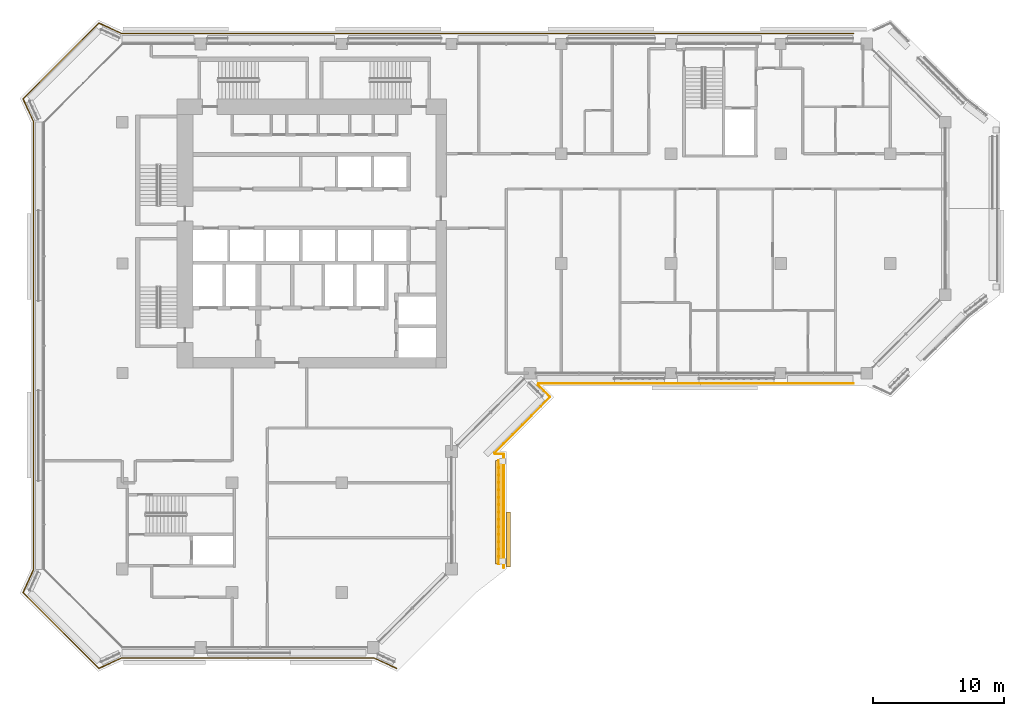
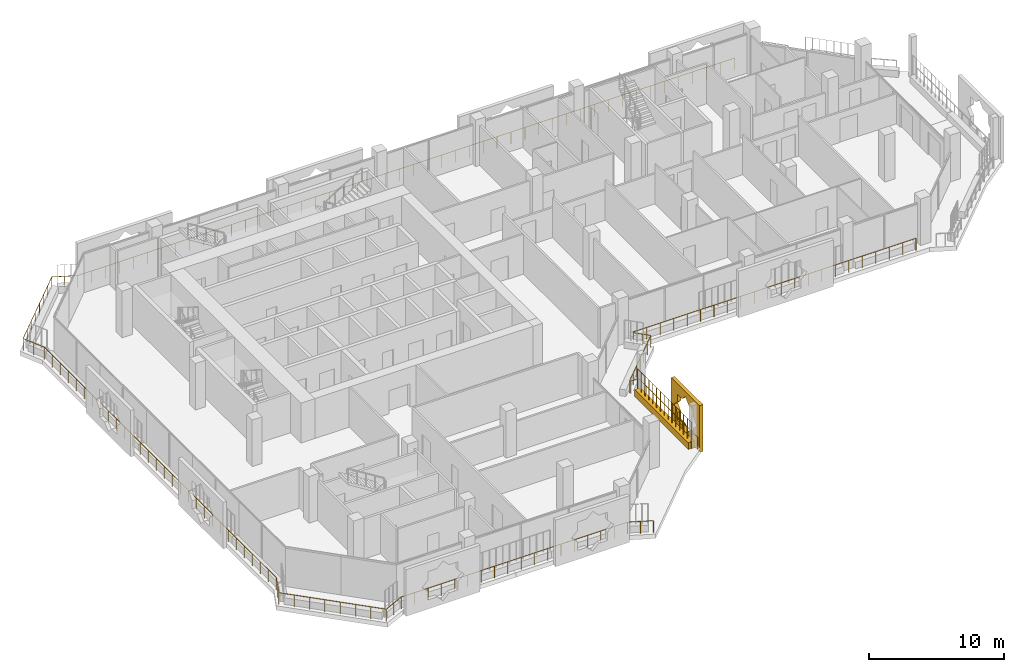
# One storey, part 16 of 20: 3 railings, 2 coverings.
"""IFC4 building model written with IfcOpenShell, lengths in metres."""

from ifc_helpers import new_model, si_unit, direction, frame, origin, origin_2d, place, context, subcontext, project, spatial, polyline, rectangle, circle, outline, extrude, material, material_profile, profile_set, type_object, element, save


model = new_model("IFC4")

# Units and contexts
model_context = context("Model", 3, precision=1e-05, world=origin(), true_north=direction((0.0, 1.0)))
body_context = subcontext(model_context, "Body", "Model", "MODEL_VIEW")
ifc_project = project(units=[si_unit("LENGTHUNIT", "METRE"), si_unit("AREAUNIT", "SQUARE_METRE"), si_unit("VOLUMEUNIT", "CUBIC_METRE"), si_unit("PLANEANGLEUNIT", "RADIAN"), si_unit("MASSUNIT", "GRAM", prefix="KILO")], contexts=[model_context])

# Site, building, storey
site_placement = place(None, origin())
site = spatial("IfcSite", under=ifc_project, at=site_placement, CompositionType="ELEMENT")
building_placement = place(site_placement, origin())
building = spatial("IfcBuilding", under=site, at=building_placement, Name="Kawkab Arch Medical Tower", CompositionType="ELEMENT")
storey_placement = place(building_placement, frame((0.0, 0.0, 239.0)))
storey = spatial("IfcBuildingStorey", under=building, at=storey_placement, Name="L55", CompositionType="ELEMENT", Elevation=239.0)

# Railings
ifc_material_1 = material(Name="Bronze anodised aluminium guard", Category="aluminium")
railing_type_1 = type_object("IfcRailingType", Name="Loggia and terrace guard 1100", PredefinedType="GUARDRAIL", material=ifc_material_1)
railing_1_placement = place(storey_placement, frame((20.9951171875, -47.798095703125, 0.0)))
element("IfcRailing", 1, at=railing_1_placement, inside=storey, type_object=railing_type_1, Name="Guard L55.LOG-01.1.1", PredefinedType="GUARDRAIL", context=body_context, shape_type="SweptSolid", body=[
    extrude(circle(Radius=0.02392578125, at=origin_2d()), frame((0.0, 0.0, 1.076171875), z_axis=(-0.910044860056, 0.414509773934, 0.0), x_axis=(-0.414509773934, -0.910044860056, 0.0)), (0.0, 0.0, 1.0), 1.92529296875),
    extrude(circle(Radius=0.02392578125, at=origin_2d()), frame((-1.752197265625, 0.798095703125, 1.076171875), z_axis=(-1.0, 0.0, 0.0), x_axis=(0.0, -1.0, 0.0)), (0.0, 0.0, 1.0), 19.285888671875),
    extrude(circle(Radius=0.02392578125, at=origin_2d()), frame((-21.0380859375, 0.798095703125, 1.076171875), z_axis=(-0.910023069687, -0.414557610759, 0.0), x_axis=(0.414557610759, -0.910023069687, 0.0)), (0.0, 0.0, 1.0), 1.92529296875),
    extrude(circle(Radius=0.02392578125, at=origin_2d()), frame((-22.7900390625, 0.0, 1.076171875), z_axis=(-0.707106781187, 0.707106781187, 0.0), x_axis=(-0.707106781187, -0.707106781187, 0.0)), (0.0, 0.0, 1.0), 8.20654296875),
    extrude(circle(Radius=0.02392578125, at=origin_2d()), frame((-28.593017578125, 5.802978515625, 1.076171875), z_axis=(0.414404752076, 0.910092688388, 0.0), x_axis=(-0.910092688388, 0.414404752076, 0.0)), (0.0, 0.0, 1.0), 1.92529296875),
    extrude(circle(Radius=0.02392578125, at=origin_2d()), frame((-27.795166015625, 7.55517578125, 1.076171875), z_axis=(0.0, 1.0, 0.0), x_axis=(-1.0, 0.0, 0.0)), (0.0, 0.0, 1.0), 34.285888671875),
    extrude(circle(Radius=0.02392578125, at=origin_2d()), frame((-27.795166015625, 41.841064453125, 1.076171875), z_axis=(-0.414452581809, 0.910070907914, 0.0), x_axis=(-0.910070907914, -0.414452581809, 0.0)), (0.0, 0.0, 1.0), 1.925048828125),
    extrude(circle(Radius=0.02392578125, at=origin_2d()), frame((-28.593017578125, 43.593017578125, 1.076171875), z_axis=(0.707106781187, 0.707106781187, 0.0), x_axis=(-0.707106781187, 0.707106781187, 0.0)), (0.0, 0.0, 1.0), 8.20654296875),
    extrude(circle(Radius=0.02392578125, at=origin_2d()), frame((-22.7900390625, 49.39599609375, 1.076171875), z_axis=(0.910070907914, -0.414452581809, 0.0), x_axis=(0.414452581809, 0.910070907914, 0.0)), (0.0, 0.0, 1.0), 1.925048828125),
    extrude(circle(Radius=0.02392578125, at=origin_2d()), frame((-21.0380859375, 48.59814453125, 1.076171875), z_axis=(1.0, 0.0, 0.0), x_axis=(0.0, 1.0, 0.0)), (0.0, 0.0, 1.0), 56.012939453125),
    extrude(circle(Radius=0.02099609375, at=origin_2d()), origin(), (0.0, 0.0, 1.0), 1.052001953125),
    extrude(circle(Radius=0.02099609375, at=origin_2d()), frame((-0.8759765625, 0.39892578125, 0.0)), (0.0, 0.0, 1.0), 1.052001953125),
    extrude(circle(Radius=0.02099609375, at=origin_2d()), frame((-1.752197265625, 0.798095703125, 0.0)), (0.0, 0.0, 1.0), 1.052001953125),
    extrude(circle(Radius=0.02099609375, at=origin_2d()), frame((-2.88671875, 0.798095703125, 0.0)), (0.0, 0.0, 1.0), 1.052001953125),
    extrude(circle(Radius=0.02099609375, at=origin_2d()), frame((-4.021240234375, 0.798095703125, 0.0)), (0.0, 0.0, 1.0), 1.052001953125),
    extrude(circle(Radius=0.02099609375, at=origin_2d()), frame((-5.155517578125, 0.798095703125, 0.0)), (0.0, 0.0, 1.0), 1.052001953125),
    extrude(circle(Radius=0.02099609375, at=origin_2d()), frame((-6.2900390625, 0.798095703125, 0.0)), (0.0, 0.0, 1.0), 1.052001953125),
    extrude(circle(Radius=0.02099609375, at=origin_2d()), frame((-7.424560546875, 0.798095703125, 0.0)), (0.0, 0.0, 1.0), 1.052001953125),
    extrude(circle(Radius=0.02099609375, at=origin_2d()), frame((-8.55908203125, 0.798095703125, 0.0)), (0.0, 0.0, 1.0), 1.052001953125),
    extrude(circle(Radius=0.02099609375, at=origin_2d()), frame((-9.693359375, 0.798095703125, 0.0)), (0.0, 0.0, 1.0), 1.052001953125),
    extrude(circle(Radius=0.02099609375, at=origin_2d()), frame((-10.827880859375, 0.798095703125, 0.0)), (0.0, 0.0, 1.0), 1.052001953125),
    extrude(circle(Radius=0.02099609375, at=origin_2d()), frame((-11.96240234375, 0.798095703125, 0.0)), (0.0, 0.0, 1.0), 1.052001953125),
    extrude(circle(Radius=0.02099609375, at=origin_2d()), frame((-13.096923828125, 0.798095703125, 0.0)), (0.0, 0.0, 1.0), 1.052001953125),
    extrude(circle(Radius=0.02099609375, at=origin_2d()), frame((-14.231201171875, 0.798095703125, 0.0)), (0.0, 0.0, 1.0), 1.052001953125),
    extrude(circle(Radius=0.02099609375, at=origin_2d()), frame((-15.36572265625, 0.798095703125, 0.0)), (0.0, 0.0, 1.0), 1.052001953125),
    extrude(circle(Radius=0.02099609375, at=origin_2d()), frame((-16.500244140625, 0.798095703125, 0.0)), (0.0, 0.0, 1.0), 1.052001953125),
    extrude(circle(Radius=0.02099609375, at=origin_2d()), frame((-17.634765625, 0.798095703125, 0.0)), (0.0, 0.0, 1.0), 1.052001953125),
    extrude(circle(Radius=0.02099609375, at=origin_2d()), frame((-18.76904296875, 0.798095703125, 0.0)), (0.0, 0.0, 1.0), 1.052001953125),
    extrude(circle(Radius=0.02099609375, at=origin_2d()), frame((-19.903564453125, 0.798095703125, 0.0)), (0.0, 0.0, 1.0), 1.052001953125),
    extrude(circle(Radius=0.02099609375, at=origin_2d()), frame((-21.0380859375, 0.798095703125, 0.0)), (0.0, 0.0, 1.0), 1.052001953125),
    extrude(circle(Radius=0.02099609375, at=origin_2d()), frame((-21.9140625, 0.39892578125, 0.0)), (0.0, 0.0, 1.0), 1.052001953125),
    extrude(circle(Radius=0.02099609375, at=origin_2d()), frame((-22.7900390625, 0.0, 0.0)), (0.0, 0.0, 1.0), 1.052001953125),
    extrude(circle(Radius=0.02099609375, at=origin_2d()), frame((-23.619140625, 0.8291015625, 0.0)), (0.0, 0.0, 1.0), 1.052001953125),
    extrude(circle(Radius=0.02099609375, at=origin_2d()), frame((-24.447998046875, 1.657958984375, 0.0)), (0.0, 0.0, 1.0), 1.052001953125),
    extrude(circle(Radius=0.02099609375, at=origin_2d()), frame((-25.277099609375, 2.487060546875, 0.0)), (0.0, 0.0, 1.0), 1.052001953125),
    extrude(circle(Radius=0.02099609375, at=origin_2d()), frame((-26.10595703125, 3.31591796875, 0.0)), (0.0, 0.0, 1.0), 1.052001953125),
    extrude(circle(Radius=0.02099609375, at=origin_2d()), frame((-26.93505859375, 4.14501953125, 0.0)), (0.0, 0.0, 1.0), 1.052001953125),
    extrude(circle(Radius=0.02099609375, at=origin_2d()), frame((-27.763916015625, 4.973876953125, 0.0)), (0.0, 0.0, 1.0), 1.052001953125),
    extrude(circle(Radius=0.02099609375, at=origin_2d()), frame((-28.593017578125, 5.802978515625, 0.0)), (0.0, 0.0, 1.0), 1.052001953125),
    extrude(circle(Radius=0.02099609375, at=origin_2d()), frame((-28.194091796875, 6.67919921875, 0.0)), (0.0, 0.0, 1.0), 1.052001953125),
    extrude(circle(Radius=0.02099609375, at=origin_2d()), frame((-27.795166015625, 7.55517578125, 0.0)), (0.0, 0.0, 1.0), 1.052001953125),
    extrude(circle(Radius=0.02099609375, at=origin_2d()), frame((-27.795166015625, 8.737548828125, 0.0)), (0.0, 0.0, 1.0), 1.052001953125),
    extrude(circle(Radius=0.02099609375, at=origin_2d()), frame((-27.795166015625, 9.919677734375, 0.0)), (0.0, 0.0, 1.0), 1.052001953125),
    extrude(circle(Radius=0.02099609375, at=origin_2d()), frame((-27.795166015625, 11.10205078125, 0.0)), (0.0, 0.0, 1.0), 1.052001953125),
    extrude(circle(Radius=0.02099609375, at=origin_2d()), frame((-27.795166015625, 12.2841796875, 0.0)), (0.0, 0.0, 1.0), 1.052001953125),
    extrude(circle(Radius=0.02099609375, at=origin_2d()), frame((-27.795166015625, 13.466552734375, 0.0)), (0.0, 0.0, 1.0), 1.052001953125),
    extrude(circle(Radius=0.02099609375, at=origin_2d()), frame((-27.795166015625, 14.64892578125, 0.0)), (0.0, 0.0, 1.0), 1.052001953125),
    extrude(circle(Radius=0.02099609375, at=origin_2d()), frame((-27.795166015625, 15.8310546875, 0.0)), (0.0, 0.0, 1.0), 1.052001953125),
    extrude(circle(Radius=0.02099609375, at=origin_2d()), frame((-27.795166015625, 17.013427734375, 0.0)), (0.0, 0.0, 1.0), 1.052001953125),
    extrude(circle(Radius=0.02099609375, at=origin_2d()), frame((-27.795166015625, 18.195556640625, 0.0)), (0.0, 0.0, 1.0), 1.052001953125),
    extrude(circle(Radius=0.02099609375, at=origin_2d()), frame((-27.795166015625, 19.3779296875, 0.0)), (0.0, 0.0, 1.0), 1.052001953125),
    extrude(circle(Radius=0.02099609375, at=origin_2d()), frame((-27.795166015625, 20.56005859375, 0.0)), (0.0, 0.0, 1.0), 1.052001953125),
    extrude(circle(Radius=0.02099609375, at=origin_2d()), frame((-27.795166015625, 21.742431640625, 0.0)), (0.0, 0.0, 1.0), 1.052001953125),
    extrude(circle(Radius=0.02099609375, at=origin_2d()), frame((-27.795166015625, 22.9248046875, 0.0)), (0.0, 0.0, 1.0), 1.052001953125),
    extrude(circle(Radius=0.02099609375, at=origin_2d()), frame((-27.795166015625, 24.10693359375, 0.0)), (0.0, 0.0, 1.0), 1.052001953125),
    extrude(circle(Radius=0.02099609375, at=origin_2d()), frame((-27.795166015625, 25.289306640625, 0.0)), (0.0, 0.0, 1.0), 1.052001953125),
    extrude(circle(Radius=0.02099609375, at=origin_2d()), frame((-27.795166015625, 26.471435546875, 0.0)), (0.0, 0.0, 1.0), 1.052001953125),
    extrude(circle(Radius=0.02099609375, at=origin_2d()), frame((-27.795166015625, 27.65380859375, 0.0)), (0.0, 0.0, 1.0), 1.052001953125),
    extrude(circle(Radius=0.02099609375, at=origin_2d()), frame((-27.795166015625, 28.836181640625, 0.0)), (0.0, 0.0, 1.0), 1.052001953125),
    extrude(circle(Radius=0.02099609375, at=origin_2d()), frame((-27.795166015625, 30.018310546875, 0.0)), (0.0, 0.0, 1.0), 1.052001953125),
    extrude(circle(Radius=0.02099609375, at=origin_2d()), frame((-27.795166015625, 31.20068359375, 0.0)), (0.0, 0.0, 1.0), 1.052001953125),
    extrude(circle(Radius=0.02099609375, at=origin_2d()), frame((-27.795166015625, 32.3828125, 0.0)), (0.0, 0.0, 1.0), 1.052001953125),
    extrude(circle(Radius=0.02099609375, at=origin_2d()), frame((-27.795166015625, 33.565185546875, 0.0)), (0.0, 0.0, 1.0), 1.052001953125),
    extrude(circle(Radius=0.02099609375, at=origin_2d()), frame((-27.795166015625, 34.747314453125, 0.0)), (0.0, 0.0, 1.0), 1.052001953125),
    extrude(circle(Radius=0.02099609375, at=origin_2d()), frame((-27.795166015625, 35.9296875, 0.0)), (0.0, 0.0, 1.0), 1.052001953125),
    extrude(circle(Radius=0.02099609375, at=origin_2d()), frame((-27.795166015625, 37.112060546875, 0.0)), (0.0, 0.0, 1.0), 1.052001953125),
    extrude(circle(Radius=0.02099609375, at=origin_2d()), frame((-27.795166015625, 38.294189453125, 0.0)), (0.0, 0.0, 1.0), 1.052001953125),
    extrude(circle(Radius=0.02099609375, at=origin_2d()), frame((-27.795166015625, 39.4765625, 0.0)), (0.0, 0.0, 1.0), 1.052001953125),
    extrude(circle(Radius=0.02099609375, at=origin_2d()), frame((-27.795166015625, 40.65869140625, 0.0)), (0.0, 0.0, 1.0), 1.052001953125),
    extrude(circle(Radius=0.02099609375, at=origin_2d()), frame((-27.795166015625, 41.841064453125, 0.0)), (0.0, 0.0, 1.0), 1.052001953125),
    extrude(circle(Radius=0.02099609375, at=origin_2d()), frame((-28.194091796875, 42.717041015625, 0.0)), (0.0, 0.0, 1.0), 1.052001953125),
    extrude(circle(Radius=0.02099609375, at=origin_2d()), frame((-28.593017578125, 43.593017578125, 0.0)), (0.0, 0.0, 1.0), 1.052001953125),
    extrude(circle(Radius=0.02099609375, at=origin_2d()), frame((-27.763916015625, 44.422119140625, 0.0)), (0.0, 0.0, 1.0), 1.052001953125),
    extrude(circle(Radius=0.02099609375, at=origin_2d()), frame((-26.93505859375, 45.2509765625, 0.0)), (0.0, 0.0, 1.0), 1.052001953125),
    extrude(circle(Radius=0.02099609375, at=origin_2d()), frame((-26.10595703125, 46.080078125, 0.0)), (0.0, 0.0, 1.0), 1.052001953125),
    extrude(circle(Radius=0.02099609375, at=origin_2d()), frame((-25.277099609375, 46.908935546875, 0.0)), (0.0, 0.0, 1.0), 1.052001953125),
    extrude(circle(Radius=0.02099609375, at=origin_2d()), frame((-24.447998046875, 47.738037109375, 0.0)), (0.0, 0.0, 1.0), 1.052001953125),
    extrude(circle(Radius=0.02099609375, at=origin_2d()), frame((-23.619140625, 48.56689453125, 0.0)), (0.0, 0.0, 1.0), 1.052001953125),
    extrude(circle(Radius=0.02099609375, at=origin_2d()), frame((-22.7900390625, 49.39599609375, 0.0)), (0.0, 0.0, 1.0), 1.052001953125),
    extrude(circle(Radius=0.02099609375, at=origin_2d()), frame((-21.9140625, 48.9970703125, 0.0)), (0.0, 0.0, 1.0), 1.052001953125),
    extrude(circle(Radius=0.02099609375, at=origin_2d()), frame((-21.0380859375, 48.59814453125, 0.0)), (0.0, 0.0, 1.0), 1.052001953125),
    extrude(circle(Radius=0.02099609375, at=origin_2d()), frame((-19.846435546875, 48.59814453125, 0.0)), (0.0, 0.0, 1.0), 1.052001953125),
    extrude(circle(Radius=0.02099609375, at=origin_2d()), frame((-18.654541015625, 48.59814453125, 0.0)), (0.0, 0.0, 1.0), 1.052001953125),
    extrude(circle(Radius=0.02099609375, at=origin_2d()), frame((-17.462890625, 48.59814453125, 0.0)), (0.0, 0.0, 1.0), 1.052001953125),
    extrude(circle(Radius=0.02099609375, at=origin_2d()), frame((-16.27099609375, 48.59814453125, 0.0)), (0.0, 0.0, 1.0), 1.052001953125),
    extrude(circle(Radius=0.02099609375, at=origin_2d()), frame((-15.079345703125, 48.59814453125, 0.0)), (0.0, 0.0, 1.0), 1.052001953125),
    extrude(circle(Radius=0.02099609375, at=origin_2d()), frame((-13.887451171875, 48.59814453125, 0.0)), (0.0, 0.0, 1.0), 1.052001953125),
    extrude(circle(Radius=0.02099609375, at=origin_2d()), frame((-12.69580078125, 48.59814453125, 0.0)), (0.0, 0.0, 1.0), 1.052001953125),
    extrude(circle(Radius=0.02099609375, at=origin_2d()), frame((-11.50390625, 48.59814453125, 0.0)), (0.0, 0.0, 1.0), 1.052001953125),
    extrude(circle(Radius=0.02099609375, at=origin_2d()), frame((-10.312255859375, 48.59814453125, 0.0)), (0.0, 0.0, 1.0), 1.052001953125),
    extrude(circle(Radius=0.02099609375, at=origin_2d()), frame((-9.120361328125, 48.59814453125, 0.0)), (0.0, 0.0, 1.0), 1.052001953125),
    extrude(circle(Radius=0.02099609375, at=origin_2d()), frame((-7.9287109375, 48.59814453125, 0.0)), (0.0, 0.0, 1.0), 1.052001953125),
    extrude(circle(Radius=0.02099609375, at=origin_2d()), frame((-6.73681640625, 48.59814453125, 0.0)), (0.0, 0.0, 1.0), 1.052001953125),
    extrude(circle(Radius=0.02099609375, at=origin_2d()), frame((-5.545166015625, 48.59814453125, 0.0)), (0.0, 0.0, 1.0), 1.052001953125),
    extrude(circle(Radius=0.02099609375, at=origin_2d()), frame((-4.353271484375, 48.59814453125, 0.0)), (0.0, 0.0, 1.0), 1.052001953125),
    extrude(circle(Radius=0.02099609375, at=origin_2d()), frame((-3.16162109375, 48.59814453125, 0.0)), (0.0, 0.0, 1.0), 1.052001953125),
    extrude(circle(Radius=0.02099609375, at=origin_2d()), frame((-1.969970703125, 48.59814453125, 0.0)), (0.0, 0.0, 1.0), 1.052001953125),
    extrude(circle(Radius=0.02099609375, at=origin_2d()), frame((-0.778076171875, 48.59814453125, 0.0)), (0.0, 0.0, 1.0), 1.052001953125),
    extrude(circle(Radius=0.02099609375, at=origin_2d()), frame((0.41357421875, 48.59814453125, 0.0)), (0.0, 0.0, 1.0), 1.052001953125),
    extrude(circle(Radius=0.02099609375, at=origin_2d()), frame((1.60546875, 48.59814453125, 0.0)), (0.0, 0.0, 1.0), 1.052001953125),
    extrude(circle(Radius=0.02099609375, at=origin_2d()), frame((2.797119140625, 48.59814453125, 0.0)), (0.0, 0.0, 1.0), 1.052001953125),
    extrude(circle(Radius=0.02099609375, at=origin_2d()), frame((3.989013671875, 48.59814453125, 0.0)), (0.0, 0.0, 1.0), 1.052001953125),
    extrude(circle(Radius=0.02099609375, at=origin_2d()), frame((5.1806640625, 48.59814453125, 0.0)), (0.0, 0.0, 1.0), 1.052001953125),
    extrude(circle(Radius=0.02099609375, at=origin_2d()), frame((6.37255859375, 48.59814453125, 0.0)), (0.0, 0.0, 1.0), 1.052001953125),
    extrude(circle(Radius=0.02099609375, at=origin_2d()), frame((7.564208984375, 48.59814453125, 0.0)), (0.0, 0.0, 1.0), 1.052001953125),
    extrude(circle(Radius=0.02099609375, at=origin_2d()), frame((8.756103515625, 48.59814453125, 0.0)), (0.0, 0.0, 1.0), 1.052001953125),
    extrude(circle(Radius=0.02099609375, at=origin_2d()), frame((9.94775390625, 48.59814453125, 0.0)), (0.0, 0.0, 1.0), 1.052001953125),
    extrude(circle(Radius=0.02099609375, at=origin_2d()), frame((11.1396484375, 48.59814453125, 0.0)), (0.0, 0.0, 1.0), 1.052001953125),
    extrude(circle(Radius=0.02099609375, at=origin_2d()), frame((12.331298828125, 48.59814453125, 0.0)), (0.0, 0.0, 1.0), 1.052001953125),
    extrude(circle(Radius=0.02099609375, at=origin_2d()), frame((13.523193359375, 48.59814453125, 0.0)), (0.0, 0.0, 1.0), 1.052001953125),
    extrude(circle(Radius=0.02099609375, at=origin_2d()), frame((14.71484375, 48.59814453125, 0.0)), (0.0, 0.0, 1.0), 1.052001953125),
    extrude(circle(Radius=0.02099609375, at=origin_2d()), frame((15.90673828125, 48.59814453125, 0.0)), (0.0, 0.0, 1.0), 1.052001953125),
    extrude(circle(Radius=0.02099609375, at=origin_2d()), frame((17.098388671875, 48.59814453125, 0.0)), (0.0, 0.0, 1.0), 1.052001953125),
    extrude(circle(Radius=0.02099609375, at=origin_2d()), frame((18.2900390625, 48.59814453125, 0.0)), (0.0, 0.0, 1.0), 1.052001953125),
    extrude(circle(Radius=0.02099609375, at=origin_2d()), frame((19.48193359375, 48.59814453125, 0.0)), (0.0, 0.0, 1.0), 1.052001953125),
    extrude(circle(Radius=0.02099609375, at=origin_2d()), frame((20.673583984375, 48.59814453125, 0.0)), (0.0, 0.0, 1.0), 1.052001953125),
    extrude(circle(Radius=0.02099609375, at=origin_2d()), frame((21.865478515625, 48.59814453125, 0.0)), (0.0, 0.0, 1.0), 1.052001953125),
    extrude(circle(Radius=0.02099609375, at=origin_2d()), frame((23.05712890625, 48.59814453125, 0.0)), (0.0, 0.0, 1.0), 1.052001953125),
    extrude(circle(Radius=0.02099609375, at=origin_2d()), frame((24.2490234375, 48.59814453125, 0.0)), (0.0, 0.0, 1.0), 1.052001953125),
    extrude(circle(Radius=0.02099609375, at=origin_2d()), frame((25.440673828125, 48.59814453125, 0.0)), (0.0, 0.0, 1.0), 1.052001953125),
    extrude(circle(Radius=0.02099609375, at=origin_2d()), frame((26.632568359375, 48.59814453125, 0.0)), (0.0, 0.0, 1.0), 1.052001953125),
    extrude(circle(Radius=0.02099609375, at=origin_2d()), frame((27.82421875, 48.59814453125, 0.0)), (0.0, 0.0, 1.0), 1.052001953125),
    extrude(circle(Radius=0.02099609375, at=origin_2d()), frame((29.01611328125, 48.59814453125, 0.0)), (0.0, 0.0, 1.0), 1.052001953125),
    extrude(circle(Radius=0.02099609375, at=origin_2d()), frame((30.207763671875, 48.59814453125, 0.0)), (0.0, 0.0, 1.0), 1.052001953125),
    extrude(circle(Radius=0.02099609375, at=origin_2d()), frame((31.399658203125, 48.59814453125, 0.0)), (0.0, 0.0, 1.0), 1.052001953125),
    extrude(circle(Radius=0.02099609375, at=origin_2d()), frame((32.59130859375, 48.59814453125, 0.0)), (0.0, 0.0, 1.0), 1.052001953125),
    extrude(circle(Radius=0.02099609375, at=origin_2d()), frame((33.783203125, 48.59814453125, 0.0)), (0.0, 0.0, 1.0), 1.052001953125),
    extrude(circle(Radius=0.02099609375, at=origin_2d()), frame((34.974853515625, 48.59814453125, 0.0)), (0.0, 0.0, 1.0), 1.052001953125),
])
railing_2_placement = place(storey_placement, frame((55.969970703125, -26.0, 0.0)))
element("IfcRailing", 2, at=railing_2_placement, inside=storey, type_object=railing_type_1, Name="Guard L55.LOG-01.1.7", PredefinedType="GUARDRAIL", context=body_context, shape_type="SweptSolid", body=[
    extrude(circle(Radius=0.02392578125, at=origin_2d()), frame((0.0, 0.0, 1.076171875), z_axis=(-1.0, 0.0, 0.0), x_axis=(0.0, -1.0, 0.0)), (0.0, 0.0, 1.0), 24.119873046875),
    extrude(circle(Radius=0.02392578125, at=origin_2d()), frame((-24.119873046875, 0.0, 1.076171875), z_axis=(-0.383763674343, -0.923431341387, 0.0), x_axis=(0.923431341387, -0.383763674343, 0.0)), (0.0, 0.0, 1.0), 0.101806640625),
    extrude(circle(Radius=0.02392578125, at=origin_2d()), frame((-24.158935546875, -0.093994140625, 1.076171875), z_axis=(0.707015335112, -0.707198215437, 0.0), x_axis=(0.707198215437, 0.707015335112, 0.0)), (0.0, 0.0, 1.0), 1.3349609375),
    extrude(circle(Radius=0.02392578125, at=origin_2d()), frame((-23.215087890625, -1.0380859375, 1.076171875), z_axis=(-0.707025867263, -0.707187685852, 0.0), x_axis=(0.707187685852, -0.707025867263, 0.0)), (0.0, 0.0, 1.0), 6.034912109375),
    extrude(circle(Radius=0.02392578125, at=origin_2d()), frame((-27.48193359375, -5.305908203125, 1.076171875), z_axis=(0.383763674343, -0.923431341387, 0.0), x_axis=(0.923431341387, 0.383763674343, 0.0)), (0.0, 0.0, 1.0), 0.101806640625),
    extrude(circle(Radius=0.02392578125, at=origin_2d()), frame((-27.44287109375, -5.39990234375, 1.076171875), z_axis=(1.0, 0.0, 0.0), x_axis=(0.0, 1.0, 0.0)), (0.0, 0.0, 1.0), 0.6728515625),
    extrude(circle(Radius=0.02392578125, at=origin_2d()), frame((-26.77001953125, -5.39990234375, 1.076171875), z_axis=(0.0, -1.0, 0.0), x_axis=(1.0, 0.0, 0.0)), (0.0, 0.0, 1.0), 8.7021484375),
    extrude(circle(Radius=0.02099609375, at=origin_2d()), origin(), (0.0, 0.0, 1.0), 1.052001953125),
    extrude(circle(Radius=0.02099609375, at=origin_2d()), frame((-1.148681640625, 0.0, 0.0)), (0.0, 0.0, 1.0), 1.052001953125),
    extrude(circle(Radius=0.02099609375, at=origin_2d()), frame((-2.297119140625, 0.0, 0.0)), (0.0, 0.0, 1.0), 1.052001953125),
    extrude(circle(Radius=0.02099609375, at=origin_2d()), frame((-3.44580078125, 0.0, 0.0)), (0.0, 0.0, 1.0), 1.052001953125),
    extrude(circle(Radius=0.02099609375, at=origin_2d()), frame((-4.59423828125, 0.0, 0.0)), (0.0, 0.0, 1.0), 1.052001953125),
    extrude(circle(Radius=0.02099609375, at=origin_2d()), frame((-5.742919921875, 0.0, 0.0)), (0.0, 0.0, 1.0), 1.052001953125),
    extrude(circle(Radius=0.02099609375, at=origin_2d()), frame((-6.891357421875, 0.0, 0.0)), (0.0, 0.0, 1.0), 1.052001953125),
    extrude(circle(Radius=0.02099609375, at=origin_2d()), frame((-8.0400390625, 0.0, 0.0)), (0.0, 0.0, 1.0), 1.052001953125),
    extrude(circle(Radius=0.02099609375, at=origin_2d()), frame((-9.1884765625, 0.0, 0.0)), (0.0, 0.0, 1.0), 1.052001953125),
    extrude(circle(Radius=0.02099609375, at=origin_2d()), frame((-10.337158203125, 0.0, 0.0)), (0.0, 0.0, 1.0), 1.052001953125),
    extrude(circle(Radius=0.02099609375, at=origin_2d()), frame((-11.485595703125, 0.0, 0.0)), (0.0, 0.0, 1.0), 1.052001953125),
    extrude(circle(Radius=0.02099609375, at=origin_2d()), frame((-12.63427734375, 0.0, 0.0)), (0.0, 0.0, 1.0), 1.052001953125),
    extrude(circle(Radius=0.02099609375, at=origin_2d()), frame((-13.78271484375, 0.0, 0.0)), (0.0, 0.0, 1.0), 1.052001953125),
    extrude(circle(Radius=0.02099609375, at=origin_2d()), frame((-14.931396484375, 0.0, 0.0)), (0.0, 0.0, 1.0), 1.052001953125),
    extrude(circle(Radius=0.02099609375, at=origin_2d()), frame((-16.079833984375, 0.0, 0.0)), (0.0, 0.0, 1.0), 1.052001953125),
    extrude(circle(Radius=0.02099609375, at=origin_2d()), frame((-17.228515625, 0.0, 0.0)), (0.0, 0.0, 1.0), 1.052001953125),
    extrude(circle(Radius=0.02099609375, at=origin_2d()), frame((-18.376953125, 0.0, 0.0)), (0.0, 0.0, 1.0), 1.052001953125),
    extrude(circle(Radius=0.02099609375, at=origin_2d()), frame((-19.525634765625, 0.0, 0.0)), (0.0, 0.0, 1.0), 1.052001953125),
    extrude(circle(Radius=0.02099609375, at=origin_2d()), frame((-20.674072265625, 0.0, 0.0)), (0.0, 0.0, 1.0), 1.052001953125),
    extrude(circle(Radius=0.02099609375, at=origin_2d()), frame((-21.82275390625, 0.0, 0.0)), (0.0, 0.0, 1.0), 1.052001953125),
    extrude(circle(Radius=0.02099609375, at=origin_2d()), frame((-22.97119140625, 0.0, 0.0)), (0.0, 0.0, 1.0), 1.052001953125),
    extrude(circle(Radius=0.02099609375, at=origin_2d()), frame((-24.119873046875, 0.0, 0.0)), (0.0, 0.0, 1.0), 1.052001953125),
    extrude(circle(Radius=0.02099609375, at=origin_2d()), frame((-24.158935546875, -0.093994140625, 0.0)), (0.0, 0.0, 1.0), 1.052001953125),
    extrude(circle(Radius=0.02099609375, at=origin_2d()), frame((-23.68701171875, -0.56591796875, 0.0)), (0.0, 0.0, 1.0), 1.052001953125),
    extrude(circle(Radius=0.02099609375, at=origin_2d()), frame((-23.215087890625, -1.0380859375, 0.0)), (0.0, 0.0, 1.0), 1.052001953125),
    extrude(circle(Radius=0.02099609375, at=origin_2d()), frame((-23.92626953125, -1.74951171875, 0.0)), (0.0, 0.0, 1.0), 1.052001953125),
    extrude(circle(Radius=0.02099609375, at=origin_2d()), frame((-24.637451171875, -2.460693359375, 0.0)), (0.0, 0.0, 1.0), 1.052001953125),
    extrude(circle(Radius=0.02099609375, at=origin_2d()), frame((-25.3486328125, -3.171875, 0.0)), (0.0, 0.0, 1.0), 1.052001953125),
    extrude(circle(Radius=0.02099609375, at=origin_2d()), frame((-26.0595703125, -3.88330078125, 0.0)), (0.0, 0.0, 1.0), 1.052001953125),
    extrude(circle(Radius=0.02099609375, at=origin_2d()), frame((-26.770751953125, -4.5947265625, 0.0)), (0.0, 0.0, 1.0), 1.052001953125),
    extrude(circle(Radius=0.02099609375, at=origin_2d()), frame((-27.48193359375, -5.305908203125, 0.0)), (0.0, 0.0, 1.0), 1.052001953125),
    extrude(circle(Radius=0.02099609375, at=origin_2d()), frame((-27.44287109375, -5.39990234375, 0.0)), (0.0, 0.0, 1.0), 1.052001953125),
    extrude(circle(Radius=0.02099609375, at=origin_2d()), frame((-26.77001953125, -5.39990234375, 0.0)), (0.0, 0.0, 1.0), 1.052001953125),
    extrude(circle(Radius=0.02099609375, at=origin_2d()), frame((-26.77001953125, -6.48779296875, 0.0)), (0.0, 0.0, 1.0), 1.052001953125),
    extrude(circle(Radius=0.02099609375, at=origin_2d()), frame((-26.77001953125, -7.575439453125, 0.0)), (0.0, 0.0, 1.0), 1.052001953125),
    extrude(circle(Radius=0.02099609375, at=origin_2d()), frame((-26.77001953125, -8.6630859375, 0.0)), (0.0, 0.0, 1.0), 1.052001953125),
    extrude(circle(Radius=0.02099609375, at=origin_2d()), frame((-26.77001953125, -9.7509765625, 0.0)), (0.0, 0.0, 1.0), 1.052001953125),
    extrude(circle(Radius=0.02099609375, at=origin_2d()), frame((-26.77001953125, -10.8388671875, 0.0)), (0.0, 0.0, 1.0), 1.052001953125),
    extrude(circle(Radius=0.02099609375, at=origin_2d()), frame((-26.77001953125, -11.926513671875, 0.0)), (0.0, 0.0, 1.0), 1.052001953125),
    extrude(circle(Radius=0.02099609375, at=origin_2d()), frame((-26.77001953125, -13.01416015625, 0.0)), (0.0, 0.0, 1.0), 1.052001953125),
    extrude(circle(Radius=0.02099609375, at=origin_2d()), frame((-26.77001953125, -14.10205078125, 0.0)), (0.0, 0.0, 1.0), 1.052001953125),
])

# Coverings
ifc_material_2 = material(Name="Bronze anodised aluminium mashrabiya panel, eight-point star pattern", Category="aluminium")
ifc_material_profile_1 = material_profile(ifc_material_2, outline(polyline([(-2.10009765625, -2.10009765625), (2.10009765625, -2.10009765625), (2.10009765625, 2.10009765625), (-2.10009765625, 2.10009765625), (-2.10009765625, -2.10009765625)]), holes=[polyline([(1.64990234375, 0.0), (1.166748046875, 0.4833984375), (1.166748046875, 1.166748046875), (0.4833984375, 1.166748046875), (0.0, 1.64990234375), (-0.4833984375, 1.166748046875), (-1.166748046875, 1.166748046875), (-1.166748046875, 0.4833984375), (-1.64990234375, 0.0), (-1.166748046875, -0.4833984375), (-1.166748046875, -1.166748046875), (-0.4833984375, -1.166748046875), (0.0, -1.64990234375), (0.4833984375, -1.166748046875), (1.166748046875, -1.166748046875), (1.166748046875, -0.4833984375), (1.64990234375, 0.0)])]), Name="Mashrabiya panel 4200x4200")
ifc_profile_set_1 = profile_set([ifc_material_profile_1], Name="Bronze anodised aluminium mashrabiya panel, eight-point star pattern")
covering_type_1 = type_object("IfcCoveringType", Name="Mashrabiya panel 4200 x 4200", PredefinedType="USERDEFINED", material=ifc_profile_set_1)
covering_1_placement = place(storey_placement, frame((29.39990234375, -37.94873046875, 1.699951171875), z_axis=(1.0, 0.0, 0.0), x_axis=(0.0, 1.0, 0.0)))
element("IfcCovering", 3, at=covering_1_placement, inside=storey, type_object=covering_type_1, Name="Mashrabiya panel L55.LOG-01-01.11", ObjectType="SCREEN", PredefinedType="USERDEFINED", context=body_context, shape_type="SweptSolid", body=[
    extrude(outline(polyline([(-2.10009765625, -2.10009765625), (2.10009765625, -2.10009765625), (2.10009765625, 2.10009765625), (-2.10009765625, 2.10009765625), (-2.10009765625, -2.10009765625)]), holes=[polyline([(1.64990234375, 0.0), (1.166748046875, 0.4833984375), (1.166748046875, 1.166748046875), (0.4833984375, 1.166748046875), (0.0, 1.64990234375), (-0.4833984375, 1.166748046875), (-1.166748046875, 1.166748046875), (-1.166748046875, 0.4833984375), (-1.64990234375, 0.0), (-1.166748046875, -0.4833984375), (-1.166748046875, -1.166748046875), (-0.4833984375, -1.166748046875), (0.0, -1.64990234375), (0.4833984375, -1.166748046875), (1.166748046875, -1.166748046875), (1.166748046875, -0.4833984375), (1.64990234375, 0.0)])]), origin(), (0.0, 0.0, 1.0), 0.300048828125),
])
ifc_material_3 = material(Name="Planting soil in a precast trough", Category="concrete")
ifc_material_profile_2 = material_profile(ifc_material_3, rectangle(XDim=0.5, YDim=0.60009765625, at=origin_2d()), Name="Trough 500x600")
ifc_profile_set_2 = profile_set([ifc_material_profile_2], Name="Planting soil in a precast trough")
covering_type_2 = type_object("IfcCoveringType", Name="Planter trough 500 x 600", PredefinedType="USERDEFINED", material=ifc_profile_set_2)
covering_2_placement = place(storey_placement, frame((28.820068359375, -31.8798828125, 0.300048828125), z_axis=(0.0, -1.0, 0.0), x_axis=(1.0, 0.0, 0.0)))
element("IfcCovering", 4, at=covering_2_placement, inside=storey, type_object=covering_type_2, Name="Planter L55.LOG-01-01.39", ObjectType="PLANTER", PredefinedType="USERDEFINED", context=body_context, shape_type="SweptSolid", body=[
    extrude(rectangle(XDim=0.5, YDim=0.60009765625, at=origin_2d()), origin(), (0.0, 0.0, 1.0), 7.93603515625),
])

# Railing
ifc_material_4 = material(Name="Bronze anodised aluminium trellis for climbing plants", Category="aluminium")
railing_type_2 = type_object("IfcRailingType", Name="Planting trellis 2400", PredefinedType="USERDEFINED", material=ifc_material_4)
railing_3_placement = place(storey_placement, frame((28.820068359375, -31.8798828125, 0.0)))
element("IfcRailing", 5, at=railing_3_placement, inside=storey, type_object=railing_type_2, Name="Planting trellis L55.LOG-01-01.39", ObjectType="TRELLIS", PredefinedType="USERDEFINED", context=body_context, shape_type="SweptSolid", body=[
    extrude(circle(Radius=0.01513671875, at=origin_2d()), frame((0.0, 0.0, 2.384765625), z_axis=(0.0, -1.0, 0.0), x_axis=(1.0, 0.0, 0.0)), (0.0, 0.0, 1.0), 7.93603515625),
    extrude(circle(Radius=0.030029296875, at=origin_2d()), origin(), (0.0, 0.0, 1.0), 2.369873046875),
    extrude(circle(Radius=0.030029296875, at=origin_2d()), frame((0.0, -0.56689453125, 0.0)), (0.0, 0.0, 1.0), 2.369873046875),
    extrude(circle(Radius=0.030029296875, at=origin_2d()), frame((0.0, -1.1337890625, 0.0)), (0.0, 0.0, 1.0), 2.369873046875),
    extrude(circle(Radius=0.030029296875, at=origin_2d()), frame((0.0, -1.70068359375, 0.0)), (0.0, 0.0, 1.0), 2.369873046875),
    extrude(circle(Radius=0.030029296875, at=origin_2d()), frame((0.0, -2.267333984375, 0.0)), (0.0, 0.0, 1.0), 2.369873046875),
    extrude(circle(Radius=0.030029296875, at=origin_2d()), frame((0.0, -2.834228515625, 0.0)), (0.0, 0.0, 1.0), 2.369873046875),
    extrude(circle(Radius=0.030029296875, at=origin_2d()), frame((0.0, -3.401123046875, 0.0)), (0.0, 0.0, 1.0), 2.369873046875),
    extrude(circle(Radius=0.030029296875, at=origin_2d()), frame((0.0, -3.968017578125, 0.0)), (0.0, 0.0, 1.0), 2.369873046875),
    extrude(circle(Radius=0.030029296875, at=origin_2d()), frame((0.0, -4.534912109375, 0.0)), (0.0, 0.0, 1.0), 2.369873046875),
    extrude(circle(Radius=0.030029296875, at=origin_2d()), frame((0.0, -5.101806640625, 0.0)), (0.0, 0.0, 1.0), 2.369873046875),
    extrude(circle(Radius=0.030029296875, at=origin_2d()), frame((0.0, -5.668701171875, 0.0)), (0.0, 0.0, 1.0), 2.369873046875),
    extrude(circle(Radius=0.030029296875, at=origin_2d()), frame((0.0, -6.2353515625, 0.0)), (0.0, 0.0, 1.0), 2.369873046875),
    extrude(circle(Radius=0.030029296875, at=origin_2d()), frame((0.0, -6.80224609375, 0.0)), (0.0, 0.0, 1.0), 2.369873046875),
    extrude(circle(Radius=0.030029296875, at=origin_2d()), frame((0.0, -7.369140625, 0.0)), (0.0, 0.0, 1.0), 2.369873046875),
    extrude(circle(Radius=0.030029296875, at=origin_2d()), frame((0.0, -7.93603515625, 0.0)), (0.0, 0.0, 1.0), 2.369873046875),
])

save(model, "model.ifc")
